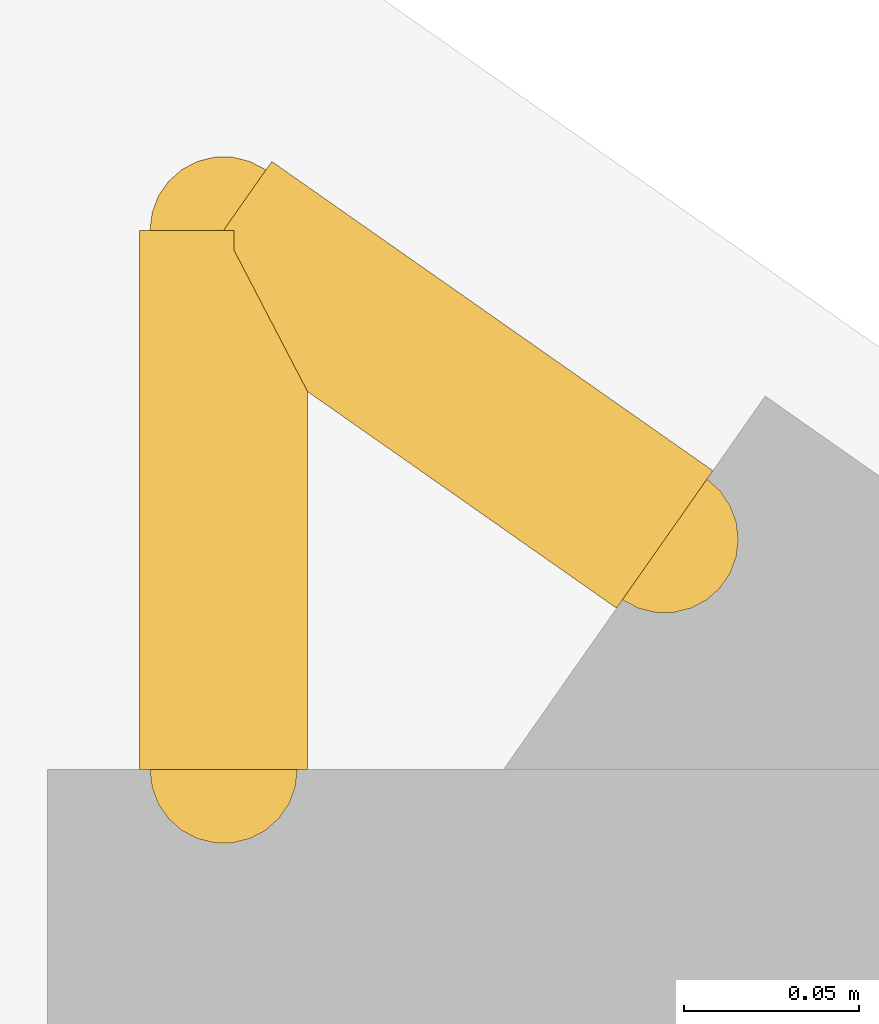
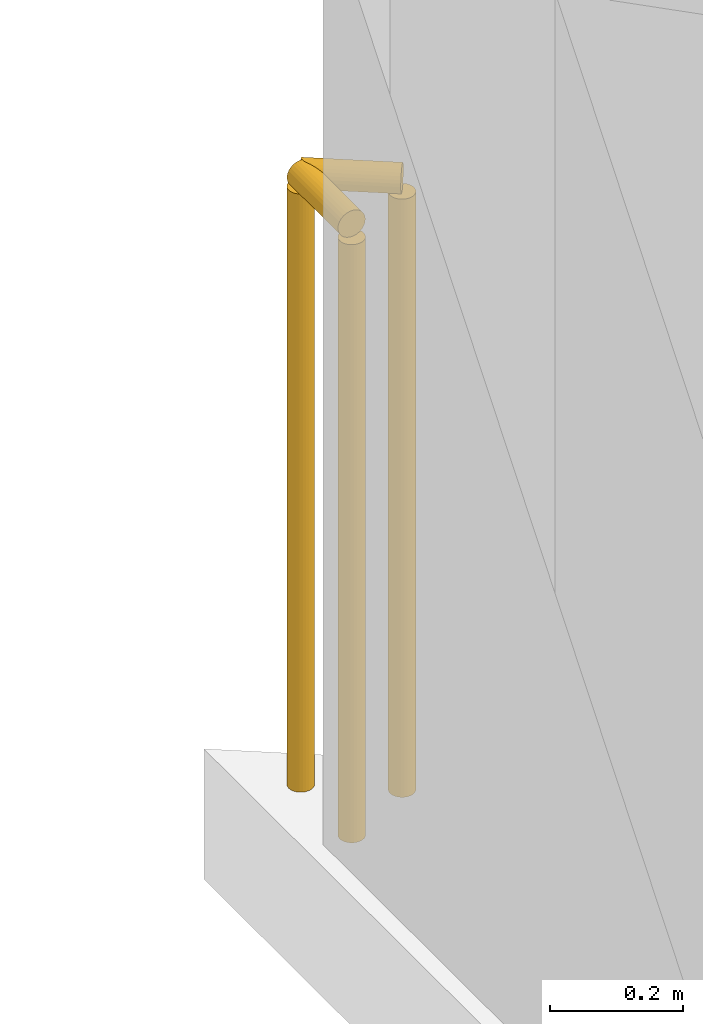
# One storey, part 17 of 17: 2 railings.
"""IFC4 building model written with IfcOpenShell, lengths in metres."""

import ifcopenshell
import ifcopenshell.guid

model = None  # the IFC model being written
_history = None  # IfcOwnerHistory: only IFC2X3 demands one
_inside = {}  # id of a spatial element -> (the spatial element, [elements in it])
_under = {}  # id of a project, library or spatial element -> (it, [spatial elements below it])
_declared = {}  # id of a project -> (the project, [libraries it declares])
_typed = {}  # id of a type object -> (the type object, [elements of that type])
_made_of = {}  # id of a material, layer set ... -> (it, [elements and type objects made of it])


def new_model(schema):
    """Start an empty IFC model of exactly this schema.

    Asked for "IFC4X3", IfcOpenShell would pick the latest addendum, in which some entities
    have other attributes; the version numbers below select the first issue.
    IFC2X3 requires an IfcOwnerHistory on every rooted entity: one is made here for all.
    """
    global model, _history
    if schema == "IFC4X3":
        model = ifcopenshell.file(schema_version=(4, 3, 0, 0))
    else:
        model = ifcopenshell.file(schema=schema)
    _inside.clear()
    _under.clear()
    _declared.clear()
    _typed.clear()
    _made_of.clear()
    _history = None
    if model.schema == "IFC2X3":
        org = make("IfcOrganization", Name="unknown")
        user = make(
            "IfcPersonAndOrganization",
            ThePerson=make("IfcPerson", FamilyName="unknown"),
            TheOrganization=org,
        )
        app = make(
            "IfcApplication",
            ApplicationDeveloper=org,
            Version="unknown",
            ApplicationFullName="unknown",
            ApplicationIdentifier="unknown",
        )
        _history = make(
            "IfcOwnerHistory",
            OwningUser=user,
            OwningApplication=app,
            ChangeAction="ADDED",
            CreationDate=0,
        )
    return model


def make(cls, **values):
    """One entity of the class cls with the attributes given. An attribute that is None is left unset."""
    return model.create_entity(
        cls, **{name: value for name, value in values.items() if value is not None}
    )


def rooted(cls, **values):
    """An entity with a GlobalId (a new one), such as an element, a storey or a relation."""
    return make(cls, GlobalId=ifcopenshell.guid.new(), OwnerHistory=_history, **values)


def si_unit(unit_type, name, prefix=None):
    """IfcSIUnit, for example si_unit("LENGTHUNIT", "METRE", prefix="MILLI")."""
    return make("IfcSIUnit", UnitType=unit_type, Prefix=prefix, Name=name)


def assignment(units):
    """IfcUnitAssignment: the units of a project."""
    return None if units is None else make("IfcUnitAssignment", Units=units)


def point(xyz):
    """IfcCartesianPoint."""
    return None if xyz is None else make("IfcCartesianPoint", Coordinates=xyz)


def direction(xyz):
    """IfcDirection."""
    return None if xyz is None else make("IfcDirection", DirectionRatios=xyz)


def frame(location, z_axis=None, x_axis=None):
    """IfcAxis2Placement3D, a coordinate frame: its origin and axes. An axis left out is left unset."""
    return make(
        "IfcAxis2Placement3D",
        Location=point(location),
        Axis=direction(z_axis),
        RefDirection=direction(x_axis),
    )


def frame_2d(location, x_axis=None):
    """IfcAxis2Placement2D, a coordinate frame in the plane: its origin and x axis."""
    return make(
        "IfcAxis2Placement2D", Location=point(location), RefDirection=direction(x_axis)
    )


def origin():
    """The frame at (0, 0, 0) with its axes left unset."""
    return frame((0.0, 0.0, 0.0))


def origin_2d():
    """The frame at (0, 0) in the plane with its x axis left unset."""
    return frame_2d((0.0, 0.0))


def place(relative_to, where):
    """IfcLocalPlacement: puts the frame where relative to a parent placement (None: the world)."""
    return make(
        "IfcLocalPlacement", PlacementRelTo=relative_to, RelativePlacement=where
    )


def context(
    kind, dimensions, precision=None, world=None, true_north=None, identifier=None
):
    """IfcGeometricRepresentationContext, for example the 3D "Model" context."""
    return make(
        "IfcGeometricRepresentationContext",
        ContextIdentifier=identifier,
        ContextType=kind,
        CoordinateSpaceDimension=dimensions,
        Precision=precision,
        WorldCoordinateSystem=world,
        TrueNorth=true_north,
    )


def subcontext(parent, identifier, kind, view, scale=None):
    """IfcGeometricRepresentationSubContext, for example "Body" below "Model"."""
    return make(
        "IfcGeometricRepresentationSubContext",
        ContextIdentifier=identifier,
        ContextType=kind,
        ParentContext=parent,
        TargetScale=scale,
        TargetView=view,
    )


def project(units=None, contexts=None):
    """IfcProject with its units and contexts."""
    return rooted(
        "IfcProject",
        Name="project",
        RepresentationContexts=contexts,
        UnitsInContext=assignment(units),
    )


def spatial(cls, under=None, at=None, **own):
    """A site, building, storey or space (cls), placed at a placement, below another one or the project."""
    s = rooted(cls, ObjectPlacement=at, **own)
    if under is not None:
        _under.setdefault(under.id(), (under, []))[1].append(s)
    return s


def profile(cls, at=None, kind="AREA", **sizes):
    """A parametric profile (cls). Its sizes go by their IFC names, for example OverallWidth=200.0."""
    return make(cls, ProfileType=kind, Position=at, **sizes)


def circle(**sizes):
    """IfcCircleProfileDef."""
    return profile("IfcCircleProfileDef", **sizes)


def extrude(swept, where, along, depth):
    """IfcExtrudedAreaSolid: the profile swept, set in the frame where, extruded along a direction by depth."""
    return make(
        "IfcExtrudedAreaSolid",
        SweptArea=swept,
        Position=where,
        ExtrudedDirection=direction(along),
        Depth=depth,
    )


def shape(context_of_items, identifier, shape_type, items):
    """IfcShapeRepresentation: the items that make up one representation, for example the "Body"."""
    return make(
        "IfcShapeRepresentation",
        ContextOfItems=context_of_items,
        RepresentationIdentifier=identifier,
        RepresentationType=shape_type,
        Items=items,
    )


def material(Name=None, Category=None):
    """IfcMaterial."""
    return make("IfcMaterial", Name=Name, Category=Category)


def made_of(thing, what):
    """Note that an element or type object is made of a material, layer set ...; save() writes the relation."""
    if what is not None:
        _made_of.setdefault(what.id(), (what, []))[1].append(thing)
    return thing


def type_object(cls, material=None, **own):
    """A type object (cls), such as IfcWallType, which elements share."""
    return made_of(rooted(cls, **own), material)


def element(
    cls,
    number,
    at=None,
    inside=None,
    cuts=None,
    type_object=None,
    material=None,
    context=None,
    identifier="Body",
    shape_type=None,
    held_by="IfcProductDefinitionShape",
    body=None,
    shapes=None,
    **own,
):
    """One element of the class cls, such as IfcWall. Its Tag is "e" and its number.

    at: its placement. inside: the storey or other place that contains it. cuts: it is an
    opening in that element (IfcRelVoidsElement). A single representation is given by context,
    identifier, shape_type and body (its items); several are given by shapes. held_by: the class
    of the entity that holds the representations. save() writes the other relations.
    """
    e = rooted(cls, Tag="e%d" % number, ObjectPlacement=at, **own)
    if body is not None:
        shapes = [shape(context, identifier, shape_type, body)]
    if shapes is not None:
        e.Representation = make(held_by, Representations=shapes)
    if inside is not None:
        _inside.setdefault(inside.id(), (inside, []))[1].append(e)
    if cuts is not None:
        rooted(
            "IfcRelVoidsElement", RelatingBuildingElement=cuts, RelatedOpeningElement=e
        )
    if type_object is not None:
        _typed.setdefault(type_object.id(), (type_object, []))[1].append(e)
    return made_of(e, material)


def aggregate(whole, parts):
    """IfcRelAggregates: a whole, such as a stair, and the parts it consists of."""
    return rooted("IfcRelAggregates", RelatingObject=whole, RelatedObjects=parts)


def save(model, path):
    """Write the relations noted so far, then the file.

    IfcRelAggregates (storeys below a building ...), IfcRelContainedInSpatialStructure (elements
    in a storey), IfcRelDefinesByType, IfcRelAssociatesMaterial and IfcRelDeclares: one each for
    every whole, place, type object, material and project.
    """
    for whole, parts in _under.values():
        aggregate(whole, parts)
    for where, things in _inside.values():
        rooted(
            "IfcRelContainedInSpatialStructure",
            RelatedElements=things,
            RelatingStructure=where,
        )
    for kind, things in _typed.values():
        rooted("IfcRelDefinesByType", RelatedObjects=things, RelatingType=kind)
    for what, things in _made_of.values():
        rooted("IfcRelAssociatesMaterial", RelatedObjects=things, RelatingMaterial=what)
    for by, libraries in _declared.values():
        rooted("IfcRelDeclares", RelatingContext=by, RelatedDefinitions=libraries)
    model.write(path)


model = new_model("IFC4")

# Units and contexts
model_context = context("Model", 3, precision=1e-05, world=origin(), true_north=direction((0.0, 1.0)))
body_context = subcontext(model_context, "Body", "Model", "MODEL_VIEW")
ifc_project = project(units=[si_unit("LENGTHUNIT", "METRE"), si_unit("AREAUNIT", "SQUARE_METRE"), si_unit("VOLUMEUNIT", "CUBIC_METRE"), si_unit("PLANEANGLEUNIT", "RADIAN"), si_unit("MASSUNIT", "GRAM", prefix="KILO")], contexts=[model_context])

# Site, building, storey
site_placement = place(None, origin())
site = spatial("IfcSite", under=ifc_project, at=site_placement, CompositionType="ELEMENT")
building_placement = place(site_placement, origin())
building = spatial("IfcBuilding", under=site, at=building_placement, Name="Varnakote Quay Hospital", CompositionType="ELEMENT")
storey_placement = place(building_placement, frame((0.0, 0.0, 219.75)))
storey = spatial("IfcBuildingStorey", under=building, at=storey_placement, Name="L54", CompositionType="ELEMENT", Elevation=219.75)

# Railings
ifc_material = material(Name="Anodised aluminium 6063-T6 Bronze", Category="aluminium")
railing_type = type_object("IfcRailingType", Name="RLG-EXT-GUARD-1150", PredefinedType="GUARDRAIL", material=ifc_material)
railing_1_placement = place(storey_placement, frame((2.580078125, 42.492431640625, 0.0)))
element("IfcRailing", 1, at=railing_1_placement, inside=storey, type_object=railing_type, Name="L54 Slab Edge Perimeter Safety Guard", PredefinedType="GUARDRAIL", context=body_context, shape_type="SweptSolid", body=[
    extrude(circle(Radius=0.02392578125, at=origin_2d()), frame((0.0, 0.0, 1.1259765625), z_axis=(0.0, 1.0, 0.0), x_axis=(-1.0, 0.0, 0.0)), (0.0, 0.0, 1.0), 0.15380859375),
    extrude(circle(Radius=0.02099609375, at=origin_2d()), origin(), (0.0, 0.0, 1.0), 1.101806640625),
    extrude(circle(Radius=0.02099609375, at=origin_2d()), frame((0.0, 0.15380859375, 0.0)), (0.0, 0.0, 1.0), 1.101806640625),
])
railing_2_placement = place(storey_placement, frame((2.580078125, 42.646240234375, 0.0)))
element("IfcRailing", 2, at=railing_2_placement, inside=storey, type_object=railing_type, Name="L54 Slab Edge Perimeter Safety Guard", PredefinedType="GUARDRAIL", context=body_context, shape_type="SweptSolid", body=[
    extrude(circle(Radius=0.02392578125, at=origin_2d()), frame((0.0, 0.0, 1.1259765625), z_axis=(0.818858253068, -0.57399578516, 0.0), x_axis=(0.57399578516, 0.818858253068, 0.0)), (0.0, 0.0, 1.0), 0.153564453125),
    extrude(circle(Radius=0.02099609375, at=origin_2d()), origin(), (0.0, 0.0, 1.0), 1.101806640625),
    extrude(circle(Radius=0.02099609375, at=origin_2d()), frame((0.125732421875, -0.088134765625, 0.0)), (0.0, 0.0, 1.0), 1.101806640625),
])

save(model, "model.ifc")
